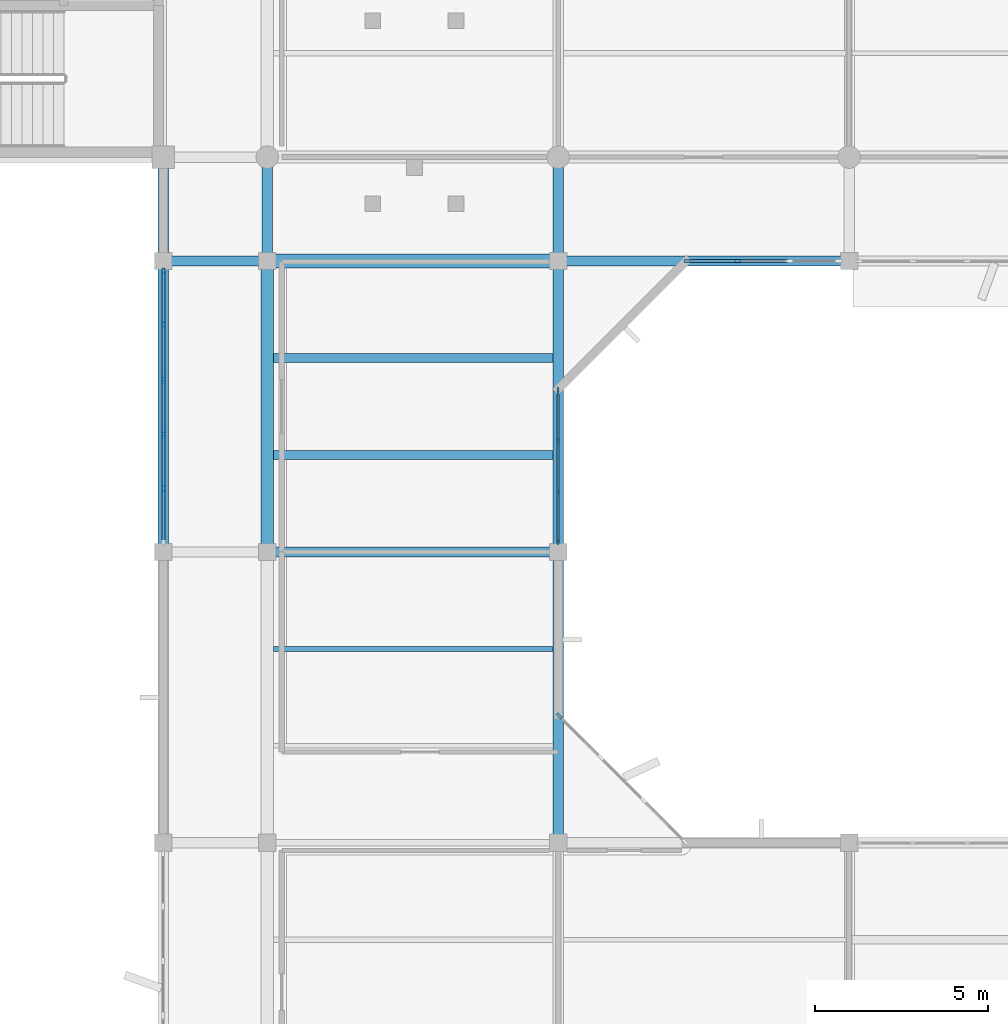
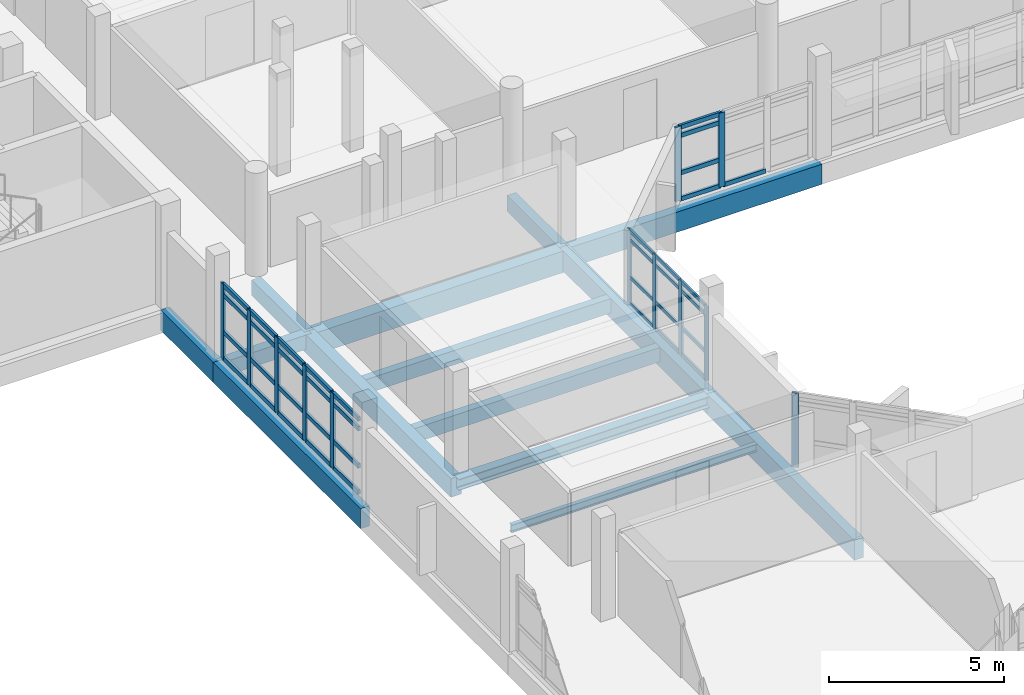
# One storey, part 17 of 104: 49 members, 14 beams, 4 elements without a shape of their own.
"""IFC4 building model written with IfcOpenShell, lengths in metres."""

from ifc_helpers import new_model, si_unit, direction, frame, origin, origin_2d, place, context, subcontext, project, spatial, rectangle, i_section, extrude, material, material_profile, profile_set, type_object, element, aggregate, save


model = new_model("IFC4")

# Units and contexts
model_context = context("Model", 3, precision=1e-05, world=origin(), true_north=direction((0.0, 1.0)))
body_context = subcontext(model_context, "Body", "Model", "MODEL_VIEW")
ifc_project = project(units=[si_unit("LENGTHUNIT", "METRE"), si_unit("AREAUNIT", "SQUARE_METRE"), si_unit("VOLUMEUNIT", "CUBIC_METRE"), si_unit("PLANEANGLEUNIT", "RADIAN"), si_unit("MASSUNIT", "GRAM", prefix="KILO")], contexts=[model_context])

# Site, building, storey
site_placement = place(None, origin())
site = spatial("IfcSite", under=ifc_project, at=site_placement, CompositionType="ELEMENT")
building_placement = place(site_placement, origin())
building = spatial("IfcBuilding", under=site, at=building_placement, Name="Vanh Quang Courtyard School", CompositionType="ELEMENT")
storey_placement = place(building_placement, frame((0.0, 0.0, 4.199951171875)))
storey = spatial("IfcBuildingStorey", under=building, at=storey_placement, Name="L01", CompositionType="ELEMENT", Elevation=4.199951171875)

# Beams
ifc_material_1 = material(Name="Concrete C35/45", Category="concrete")
ifc_material_profile_1 = material_profile(ifc_material_1, rectangle(XDim=0.300048828125, YDim=0.5, at=origin_2d()), Name="RC-BM 300x500")
ifc_profile_set_1 = profile_set([ifc_material_profile_1], Name="Concrete C35/45")
beam_type_1 = type_object("IfcBeamType", Name="BM-RC-300x500", PredefinedType="BEAM", material=ifc_profile_set_1)
beam_1_placement = place(storey_placement, frame((74.39990234375, 29.39990234375, -0.530029296875), z_axis=(1.0, 0.0, 0.0), x_axis=(0.0, 1.0, 0.0)))
element("IfcBeam", 1, at=beam_1_placement, inside=storey, type_object=beam_type_1, Name="Beam B-08 (L01)", PredefinedType="BEAM", context=body_context, shape_type="SweptSolid", body=[
    extrude(rectangle(XDim=0.300048828125, YDim=0.5, at=origin_2d()), origin(), (0.0, 0.0, 1.0), 3.0),
])
ifc_material_profile_2 = material_profile(ifc_material_1, rectangle(XDim=0.300048828125, YDim=0.550048828125, at=origin_2d()), Name="RC-BM 300x550")
ifc_profile_set_2 = profile_set([ifc_material_profile_2], Name="Concrete C35/45")
beam_type_2 = type_object("IfcBeamType", Name="BM-RC-300x550", PredefinedType="BEAM", material=ifc_profile_set_2)
for number, where, z_axis, x_axis, name in (
    (2, (77.39990234375, 29.39990234375, -0.554931640625), (0.0, 1.0, 0.0), (-1.0, 0.0, 0.0), "Beam B-07 (L01)"),
    (3, (85.800048828125, 29.39990234375, -0.554931640625), (0.0, 1.0, 0.0), (-1.0, 0.0, 0.0), "Beam B-07 (L01)"),
):
    element("IfcBeam", number, at=place(storey_placement, frame(where, z_axis=z_axis, x_axis=x_axis)), inside=storey, type_object=beam_type_2, Name=name, PredefinedType="BEAM", context=body_context, shape_type="SweptSolid", body=[
        extrude(rectangle(XDim=0.300048828125, YDim=0.550048828125, at=origin_2d()), origin(), (0.0, 0.0, 1.0), 3.0),
    ])
ifc_material_profile_3 = material_profile(ifc_material_1, rectangle(XDim=0.35009765625, YDim=0.64990234375, at=origin_2d()), Name="RC-BM 350x650")
ifc_profile_set_3 = profile_set([ifc_material_profile_3], Name="Concrete C35/45")
beam_type_3 = type_object("IfcBeamType", Name="BM-RC-350x650", PredefinedType="BEAM", material=ifc_profile_set_3)
beam_2_placement = place(storey_placement, frame((77.39990234375, 21.0, -0.60498046875), z_axis=(0.0, 1.0, 0.0), x_axis=(-1.0, 0.0, 0.0)))
element("IfcBeam", 4, at=beam_2_placement, inside=storey, type_object=beam_type_3, Name="Beam B-05 (L01)", PredefinedType="BEAM", context=body_context, shape_type="SweptSolid", body=[
    extrude(rectangle(XDim=0.35009765625, YDim=0.64990234375, at=origin_2d()), origin(), (0.0, 0.0, 1.0), 8.39990234375),
])
ifc_material_profile_4 = material_profile(ifc_material_1, rectangle(XDim=0.39990234375, YDim=0.75, at=origin_2d()), Name="RC-BM 400x750")
ifc_profile_set_4 = profile_set([ifc_material_profile_4], Name="Concrete C35/45")
beam_type_4 = type_object("IfcBeamType", Name="BM-RC-400x750", PredefinedType="BEAM", material=ifc_profile_set_4)
beam_3_placement = place(storey_placement, frame((77.39990234375, 29.39990234375, -0.655029296875), z_axis=(1.0, 0.0, 0.0), x_axis=(0.0, 1.0, 0.0)))
element("IfcBeam", 5, at=beam_3_placement, inside=storey, type_object=beam_type_4, Name="Beam B-03 (L01)", PredefinedType="BEAM", context=body_context, shape_type="SweptSolid", body=[
    extrude(rectangle(XDim=0.39990234375, YDim=0.75, at=origin_2d()), origin(), (0.0, 0.0, 1.0), 8.400146484375),
])
ifc_material_profile_5 = material_profile(ifc_material_1, rectangle(XDim=0.300048828125, YDim=0.699951171875, at=origin_2d()), Name="RC-SP 300x700")
ifc_profile_set_5 = profile_set([ifc_material_profile_5], Name="Concrete C35/45")
beam_type_5 = type_object("IfcBeamType", Name="BM-SP-300x700", PredefinedType="SPANDREL", material=ifc_profile_set_5)
for number, where, z_axis, x_axis, name in (
    (6, (85.800048828125, 29.39990234375, -0.6298828125), (1.0, 0.0, 0.0), (0.0, 1.0, 0.0), "Beam BS-01 (L01)"),
    (7, (74.39990234375, 21.0, -0.6298828125), (0.0, 1.0, 0.0), (-1.0, 0.0, 0.0), "Beam BS-01 (L01)"),
):
    element("IfcBeam", number, at=place(storey_placement, frame(where, z_axis=z_axis, x_axis=x_axis)), inside=storey, type_object=beam_type_5, Name=name, PredefinedType="SPANDREL", context=body_context, shape_type="SweptSolid", body=[
        extrude(rectangle(XDim=0.300048828125, YDim=0.699951171875, at=origin_2d()), origin(), (0.0, 0.0, 1.0), 8.39990234375),
    ])
beam_4_placement = place(storey_placement, frame((74.39990234375, 29.39990234375, -0.6298828125), z_axis=(0.0, 1.0, 0.0), x_axis=(-1.0, 0.0, 0.0)))
element("IfcBeam", 8, at=beam_4_placement, inside=storey, type_object=beam_type_5, Name="Beam BS-01 (L01)", PredefinedType="SPANDREL", context=body_context, shape_type="SweptSolid", body=[
    extrude(rectangle(XDim=0.300048828125, YDim=0.699951171875, at=origin_2d()), origin(), (0.0, 0.0, 1.0), 3.0),
])
for number, where, z_axis, x_axis, name in (
    (9, (85.800048828125, 12.60009765625, -0.6298828125), (0.0, 1.0, 0.0), (-1.0, 0.0, 0.0), "Beam BS-01 (L01)"),
    (10, (85.800048828125, 21.0, -0.6298828125), (0.0, 1.0, 0.0), (-1.0, 0.0, 0.0), "Beam BS-01 (L01)"),
):
    element("IfcBeam", number, at=place(storey_placement, frame(where, z_axis=z_axis, x_axis=x_axis)), inside=storey, type_object=beam_type_5, Name=name, PredefinedType="SPANDREL", context=body_context, shape_type="SweptSolid", body=[
        extrude(rectangle(XDim=0.300048828125, YDim=0.699951171875, at=origin_2d()), origin(), (0.0, 0.0, 1.0), 8.39990234375),
    ])
ifc_material_2 = material(Name="Structural steel EN 10025-2 S355J2", Category="steel")
ifc_material_profile_6 = material_profile(ifc_material_2, i_section(OverallWidth=0.300048828125, OverallDepth=0.389892578125, WebThickness=0.010986328125, FlangeThickness=0.01904296875, FilletRadius=0.027099609375, at=origin_2d()), Name="HEA 400")
ifc_profile_set_6 = profile_set([ifc_material_profile_6], Name="Structural steel EN 10025-2 S355J2")
beam_type_6 = type_object("IfcBeamType", Name="BM-STL-HEA400", PredefinedType="BEAM", material=ifc_profile_set_6)
beam_5_placement = place(storey_placement, frame((77.39990234375, 21.0, -0.474853515625), z_axis=(1.0, 0.0, 0.0), x_axis=(0.0, 1.0, 0.0)))
element("IfcBeam", 11, at=beam_5_placement, inside=storey, type_object=beam_type_6, Name="Beam SB-08 (L01)", PredefinedType="BEAM", context=body_context, shape_type="SweptSolid", body=[
    extrude(i_section(OverallWidth=0.300048828125, OverallDepth=0.389892578125, WebThickness=0.010986328125, FlangeThickness=0.01904296875, FilletRadius=0.027099609375, at=origin_2d()), origin(), (0.0, 0.0, 1.0), 8.400146484375),
])

# Curtain wall, members
ifc_material_3 = material(Name="Thermally broken aluminium unitised curtain wall", Category="aluminium")
curtain_wall_type_1 = type_object("IfcCurtainWallType", Name="CW-SYS-38", PredefinedType="NOTDEFINED", material=ifc_material_3)
curtain_wall_1_placement = place(storey_placement, origin())
curtain_wall_1 = element("IfcCurtainWall", 12, at=curtain_wall_1_placement, inside=storey, type_object=curtain_wall_type_1, Name="Curtain Wall CW-38 (L01)", PredefinedType="NOTDEFINED")
ifc_material_4 = material(Name="Anodised aluminium 6063-T6", Category="aluminium")
ifc_material_profile_7 = material_profile(ifc_material_4, rectangle(XDim=0.06005859375, YDim=0.159912109375, at=origin_2d()), Name="ALU-MUL 60x160")
ifc_profile_set_7 = profile_set([ifc_material_profile_7], Name="Anodised aluminium 6063-T6")
member_type_1 = type_object("IfcMemberType", Name="CW-MUL-60x160", PredefinedType="MULLION", material=ifc_profile_set_7)
member_1_placement = place(storey_placement, frame((85.800048828125, 25.674072265625, 0.0), z_axis=(0.0, 0.0, 1.0), x_axis=(1.0, 0.0, 0.0)))
member_1 = element("IfcMember", 13, at=member_1_placement, type_object=member_type_1, Name="CW-38 mullion 1", PredefinedType="MULLION", context=body_context, shape_type="SweptSolid", body=[
    extrude(rectangle(XDim=0.06005859375, YDim=0.159912109375, at=origin_2d()), origin(), (0.0, 0.0, 1.0), 2.580078125),
])
member_2_placement = place(storey_placement, frame((85.800048828125, 24.221923828125, 0.0), z_axis=(0.0, 0.0, 1.0), x_axis=(1.0, 0.0, 0.0)))
member_2 = element("IfcMember", 14, at=member_2_placement, type_object=member_type_1, Name="CW-38 mullion 2", PredefinedType="MULLION", context=body_context, shape_type="SweptSolid", body=[
    extrude(rectangle(XDim=0.06005859375, YDim=0.159912109375, at=origin_2d()), origin(), (0.0, 0.0, 1.0), 2.580078125),
])
member_3_placement = place(storey_placement, frame((85.800048828125, 22.739990234375, 0.0), z_axis=(0.0, 0.0, 1.0), x_axis=(1.0, 0.0, 0.0)))
member_3 = element("IfcMember", 15, at=member_3_placement, type_object=member_type_1, Name="CW-38 mullion 3", PredefinedType="MULLION", context=body_context, shape_type="SweptSolid", body=[
    extrude(rectangle(XDim=0.06005859375, YDim=0.159912109375, at=origin_2d()), origin(), (0.0, 0.0, 1.0), 2.580078125),
])
member_4_placement = place(storey_placement, frame((85.800048828125, 21.2880859375, 0.0), z_axis=(0.0, 0.0, 1.0), x_axis=(1.0, 0.0, 0.0)))
member_4 = element("IfcMember", 16, at=member_4_placement, type_object=member_type_1, Name="CW-38 mullion 4", PredefinedType="MULLION", context=body_context, shape_type="SweptSolid", body=[
    extrude(rectangle(XDim=0.06005859375, YDim=0.159912109375, at=origin_2d()), origin(), (0.0, 0.0, 1.0), 2.580078125),
])

curtain_wall_type_2 = type_object("IfcCurtainWallType", Name="CW-SYS-19", PredefinedType="NOTDEFINED", material=ifc_material_3)
curtain_wall_2_placement = place(storey_placement, origin())
curtain_wall_2 = element("IfcCurtainWall", 17, at=curtain_wall_2_placement, inside=storey, type_object=curtain_wall_type_2, Name="Curtain Wall CW-19 (L01)", PredefinedType="NOTDEFINED")
ifc_material_profile_8 = material_profile(ifc_material_4, rectangle(XDim=0.080078125, YDim=0.199951171875, at=origin_2d()), Name="ALU-MUL 80x200")
ifc_profile_set_8 = profile_set([ifc_material_profile_8], Name="Anodised aluminium 6063-T6")
member_type_2 = type_object("IfcMemberType", Name="CW-MUL-80x200", PredefinedType="MULLION", material=ifc_profile_set_8)
member_5_placement = place(storey_placement, frame((74.39990234375, 22.834716796875, 0.0), z_axis=(0.0, 0.0, 1.0), x_axis=(-1.0, 0.0, 0.0)))
member_5 = element("IfcMember", 18, at=member_5_placement, type_object=member_type_2, Name="CW-19 mullion 2", PredefinedType="MULLION", context=body_context, shape_type="SweptSolid", body=[
    extrude(rectangle(XDim=0.080078125, YDim=0.199951171875, at=origin_2d()), origin(), (0.0, 0.0, 1.0), 2.6201171875),
])
member_6_placement = place(storey_placement, frame((74.39990234375, 24.41162109375, 0.0), z_axis=(0.0, 0.0, 1.0), x_axis=(-1.0, 0.0, 0.0)))
member_6 = element("IfcMember", 19, at=member_6_placement, type_object=member_type_2, Name="CW-19 mullion 3", PredefinedType="MULLION", context=body_context, shape_type="SweptSolid", body=[
    extrude(rectangle(XDim=0.080078125, YDim=0.199951171875, at=origin_2d()), origin(), (0.0, 0.0, 1.0), 2.6201171875),
])
member_7_placement = place(storey_placement, frame((74.39990234375, 25.98828125, 0.0), z_axis=(0.0, 0.0, 1.0), x_axis=(-1.0, 0.0, 0.0)))
member_7 = element("IfcMember", 20, at=member_7_placement, type_object=member_type_2, Name="CW-19 mullion 4", PredefinedType="MULLION", context=body_context, shape_type="SweptSolid", body=[
    extrude(rectangle(XDim=0.080078125, YDim=0.199951171875, at=origin_2d()), origin(), (0.0, 0.0, 1.0), 2.6201171875),
])
member_8_placement = place(storey_placement, frame((74.39990234375, 27.565185546875, 0.0), z_axis=(0.0, 0.0, 1.0), x_axis=(-1.0, 0.0, 0.0)))
member_8 = element("IfcMember", 21, at=member_8_placement, type_object=member_type_2, Name="CW-19 mullion 5", PredefinedType="MULLION", context=body_context, shape_type="SweptSolid", body=[
    extrude(rectangle(XDim=0.080078125, YDim=0.199951171875, at=origin_2d()), origin(), (0.0, 0.0, 1.0), 2.6201171875),
])
member_9_placement = place(storey_placement, frame((74.39990234375, 29.10205078125, 0.0), z_axis=(0.0, 0.0, 1.0), x_axis=(-1.0, 0.0, 0.0)))
member_9 = element("IfcMember", 22, at=member_9_placement, type_object=member_type_2, Name="CW-19 mullion 6", PredefinedType="MULLION", context=body_context, shape_type="SweptSolid", body=[
    extrude(rectangle(XDim=0.080078125, YDim=0.199951171875, at=origin_2d()), origin(), (0.0, 0.0, 1.0), 2.6201171875),
])

# Curtain wall, member
curtain_wall_type_3 = type_object("IfcCurtainWallType", Name="CW-SYS-37", PredefinedType="NOTDEFINED", material=ifc_material_3)
curtain_wall_3_placement = place(storey_placement, origin())
curtain_wall_3 = element("IfcCurtainWall", 23, at=curtain_wall_3_placement, inside=storey, type_object=curtain_wall_type_3, Name="Curtain Wall CW-37 (L01)", PredefinedType="NOTDEFINED")
member_10_placement = place(storey_placement, frame((85.828369140625, 16.267822265625, 0.0), z_axis=(0.0, 0.0, 1.0), x_axis=(0.707106781187, 0.707106781187, 0.0)))
member_10 = element("IfcMember", 24, at=member_10_placement, type_object=member_type_2, Name="CW-37 mullion 1", PredefinedType="MULLION", context=body_context, shape_type="SweptSolid", body=[
    extrude(rectangle(XDim=0.080078125, YDim=0.199951171875, at=origin_2d()), origin(), (0.0, 0.0, 1.0), 2.580078125),
])
aggregate(curtain_wall_3, [member_10])

# Curtain wall, members
curtain_wall_4_placement = place(storey_placement, origin())
curtain_wall_4 = element("IfcCurtainWall", 25, at=curtain_wall_4_placement, inside=storey, type_object=curtain_wall_type_1, Name="Curtain Wall CW-38 (L01)", PredefinedType="NOTDEFINED")
member_11_placement = place(storey_placement, frame((90.97802734375, 29.39990234375, 0.0), z_axis=(0.0, 0.0, 1.0), x_axis=(0.0, -1.0, 0.0)))
member_11 = element("IfcMember", 26, at=member_11_placement, type_object=member_type_2, Name="CW-38 mullion 3", PredefinedType="MULLION", context=body_context, shape_type="SweptSolid", body=[
    extrude(rectangle(XDim=0.080078125, YDim=0.199951171875, at=origin_2d()), origin(), (0.0, 0.0, 1.0), 2.580078125),
])
member_12_placement = place(storey_placement, frame((89.535888671875, 29.39990234375, 0.0), z_axis=(0.0, 0.0, 1.0), x_axis=(0.0, -1.0, 0.0)))
member_12 = element("IfcMember", 27, at=member_12_placement, type_object=member_type_2, Name="CW-38 mullion 4", PredefinedType="MULLION", context=body_context, shape_type="SweptSolid", body=[
    extrude(rectangle(XDim=0.080078125, YDim=0.199951171875, at=origin_2d()), origin(), (0.0, 0.0, 1.0), 2.580078125),
])

# Member
ifc_material_profile_9 = material_profile(ifc_material_4, rectangle(XDim=0.06005859375, YDim=0.1201171875, at=origin_2d()), Name="ALU-TRN 60x120")
ifc_profile_set_9 = profile_set([ifc_material_profile_9], Name="Anodised aluminium 6063-T6")
member_type_3 = type_object("IfcMemberType", Name="CW-TRN-60x120", PredefinedType="USERDEFINED", material=ifc_profile_set_9)
member_13_placement = place(storey_placement, frame((85.800048828125, 25.64404296875, 0.030029296875), z_axis=(0.0, -1.0, 0.0), x_axis=(1.0, 0.0, 0.0)))
member_13 = element("IfcMember", 28, at=member_13_placement, type_object=member_type_3, Name="CW-38 transom 1.1", ObjectType="TRANSOM", PredefinedType="USERDEFINED", context=body_context, shape_type="SweptSolid", body=[
    extrude(rectangle(XDim=0.06005859375, YDim=0.1201171875, at=origin_2d()), origin(), (0.0, 0.0, 1.0), 1.39208984375),
])

member_14_placement = place(storey_placement, frame((85.800048828125, 25.64404296875, 0.949951171875), z_axis=(0.0, -1.0, 0.0), x_axis=(1.0, 0.0, 0.0)))
member_14 = element("IfcMember", 29, at=member_14_placement, type_object=member_type_3, Name="CW-38 transom 1.2", ObjectType="TRANSOM", PredefinedType="USERDEFINED", context=body_context, shape_type="SweptSolid", body=[
    extrude(rectangle(XDim=0.06005859375, YDim=0.1201171875, at=origin_2d()), origin(), (0.0, 0.0, 1.0), 1.39208984375),
])

member_15_placement = place(storey_placement, frame((85.800048828125, 25.64404296875, 2.25), z_axis=(0.0, -1.0, 0.0), x_axis=(1.0, 0.0, 0.0)))
member_15 = element("IfcMember", 30, at=member_15_placement, type_object=member_type_3, Name="CW-38 transom 1.3", ObjectType="TRANSOM", PredefinedType="USERDEFINED", context=body_context, shape_type="SweptSolid", body=[
    extrude(rectangle(XDim=0.06005859375, YDim=0.1201171875, at=origin_2d()), origin(), (0.0, 0.0, 1.0), 1.39208984375),
])

member_16_placement = place(storey_placement, frame((85.800048828125, 25.64404296875, 2.550048828125), z_axis=(0.0, -1.0, 0.0), x_axis=(1.0, 0.0, 0.0)))
member_16 = element("IfcMember", 31, at=member_16_placement, type_object=member_type_3, Name="CW-38 transom 1.4", ObjectType="TRANSOM", PredefinedType="USERDEFINED", context=body_context, shape_type="SweptSolid", body=[
    extrude(rectangle(XDim=0.06005859375, YDim=0.1201171875, at=origin_2d()), origin(), (0.0, 0.0, 1.0), 1.39208984375),
])

member_17_placement = place(storey_placement, frame((85.800048828125, 24.19189453125, 0.030029296875), z_axis=(0.0, -1.0, 0.0), x_axis=(1.0, 0.0, 0.0)))
member_17 = element("IfcMember", 32, at=member_17_placement, type_object=member_type_3, Name="CW-38 transom 2.1", ObjectType="TRANSOM", PredefinedType="USERDEFINED", context=body_context, shape_type="SweptSolid", body=[
    extrude(rectangle(XDim=0.06005859375, YDim=0.1201171875, at=origin_2d()), origin(), (0.0, 0.0, 1.0), 1.421875),
])

member_18_placement = place(storey_placement, frame((85.800048828125, 24.19189453125, 0.949951171875), z_axis=(0.0, -1.0, 0.0), x_axis=(1.0, 0.0, 0.0)))
member_18 = element("IfcMember", 33, at=member_18_placement, type_object=member_type_3, Name="CW-38 transom 2.2", ObjectType="TRANSOM", PredefinedType="USERDEFINED", context=body_context, shape_type="SweptSolid", body=[
    extrude(rectangle(XDim=0.06005859375, YDim=0.1201171875, at=origin_2d()), origin(), (0.0, 0.0, 1.0), 1.421875),
])

member_19_placement = place(storey_placement, frame((85.800048828125, 24.19189453125, 2.25), z_axis=(0.0, -1.0, 0.0), x_axis=(1.0, 0.0, 0.0)))
member_19 = element("IfcMember", 34, at=member_19_placement, type_object=member_type_3, Name="CW-38 transom 2.3", ObjectType="TRANSOM", PredefinedType="USERDEFINED", context=body_context, shape_type="SweptSolid", body=[
    extrude(rectangle(XDim=0.06005859375, YDim=0.1201171875, at=origin_2d()), origin(), (0.0, 0.0, 1.0), 1.421875),
])

member_20_placement = place(storey_placement, frame((85.800048828125, 24.19189453125, 2.550048828125), z_axis=(0.0, -1.0, 0.0), x_axis=(1.0, 0.0, 0.0)))
member_20 = element("IfcMember", 35, at=member_20_placement, type_object=member_type_3, Name="CW-38 transom 2.4", ObjectType="TRANSOM", PredefinedType="USERDEFINED", context=body_context, shape_type="SweptSolid", body=[
    extrude(rectangle(XDim=0.06005859375, YDim=0.1201171875, at=origin_2d()), origin(), (0.0, 0.0, 1.0), 1.421875),
])

member_21_placement = place(storey_placement, frame((85.800048828125, 22.7099609375, 0.030029296875), z_axis=(0.0, -1.0, 0.0), x_axis=(1.0, 0.0, 0.0)))
member_21 = element("IfcMember", 36, at=member_21_placement, type_object=member_type_3, Name="CW-38 transom 3.1", ObjectType="TRANSOM", PredefinedType="USERDEFINED", context=body_context, shape_type="SweptSolid", body=[
    extrude(rectangle(XDim=0.06005859375, YDim=0.1201171875, at=origin_2d()), origin(), (0.0, 0.0, 1.0), 1.391845703125),
])

member_22_placement = place(storey_placement, frame((85.800048828125, 22.7099609375, 0.949951171875), z_axis=(0.0, -1.0, 0.0), x_axis=(1.0, 0.0, 0.0)))
member_22 = element("IfcMember", 37, at=member_22_placement, type_object=member_type_3, Name="CW-38 transom 3.2", ObjectType="TRANSOM", PredefinedType="USERDEFINED", context=body_context, shape_type="SweptSolid", body=[
    extrude(rectangle(XDim=0.06005859375, YDim=0.1201171875, at=origin_2d()), origin(), (0.0, 0.0, 1.0), 1.391845703125),
])

member_23_placement = place(storey_placement, frame((85.800048828125, 22.7099609375, 2.25), z_axis=(0.0, -1.0, 0.0), x_axis=(1.0, 0.0, 0.0)))
member_23 = element("IfcMember", 38, at=member_23_placement, type_object=member_type_3, Name="CW-38 transom 3.3", ObjectType="TRANSOM", PredefinedType="USERDEFINED", context=body_context, shape_type="SweptSolid", body=[
    extrude(rectangle(XDim=0.06005859375, YDim=0.1201171875, at=origin_2d()), origin(), (0.0, 0.0, 1.0), 1.391845703125),
])

member_24_placement = place(storey_placement, frame((85.800048828125, 22.7099609375, 2.550048828125), z_axis=(0.0, -1.0, 0.0), x_axis=(1.0, 0.0, 0.0)))
member_24 = element("IfcMember", 39, at=member_24_placement, type_object=member_type_3, Name="CW-38 transom 3.4", ObjectType="TRANSOM", PredefinedType="USERDEFINED", context=body_context, shape_type="SweptSolid", body=[
    extrude(rectangle(XDim=0.06005859375, YDim=0.1201171875, at=origin_2d()), origin(), (0.0, 0.0, 1.0), 1.391845703125),
])

aggregate(curtain_wall_1, [member_1, member_2, member_3, member_4, member_13, member_14, member_15, member_16, member_17, member_18, member_19, member_20, member_21, member_22, member_23, member_24])

ifc_material_profile_10 = material_profile(ifc_material_4, rectangle(XDim=0.080078125, YDim=0.14990234375, at=origin_2d()), Name="ALU-TRN 80x150")
ifc_profile_set_10 = profile_set([ifc_material_profile_10], Name="Anodised aluminium 6063-T6")
member_type_4 = type_object("IfcMemberType", Name="CW-TRN-80x150", PredefinedType="USERDEFINED", material=ifc_profile_set_10)
member_25_placement = place(storey_placement, frame((74.39990234375, 21.337890625, 0.0400390625), z_axis=(0.0, 1.0, 0.0), x_axis=(-1.0, 0.0, 0.0)))
member_25 = element("IfcMember", 40, at=member_25_placement, type_object=member_type_4, Name="CW-19 transom 1.1", ObjectType="TRANSOM", PredefinedType="USERDEFINED", context=body_context, shape_type="SweptSolid", body=[
    extrude(rectangle(XDim=0.080078125, YDim=0.14990234375, at=origin_2d()), origin(), (0.0, 0.0, 1.0), 1.45703125),
])

member_26_placement = place(storey_placement, frame((74.39990234375, 21.337890625, 0.949951171875), z_axis=(0.0, 1.0, 0.0), x_axis=(-1.0, 0.0, 0.0)))
member_26 = element("IfcMember", 41, at=member_26_placement, type_object=member_type_4, Name="CW-19 transom 1.2", ObjectType="TRANSOM", PredefinedType="USERDEFINED", context=body_context, shape_type="SweptSolid", body=[
    extrude(rectangle(XDim=0.080078125, YDim=0.14990234375, at=origin_2d()), origin(), (0.0, 0.0, 1.0), 1.45703125),
])

member_27_placement = place(storey_placement, frame((74.39990234375, 21.337890625, 2.25), z_axis=(0.0, 1.0, 0.0), x_axis=(-1.0, 0.0, 0.0)))
member_27 = element("IfcMember", 42, at=member_27_placement, type_object=member_type_4, Name="CW-19 transom 1.3", ObjectType="TRANSOM", PredefinedType="USERDEFINED", context=body_context, shape_type="SweptSolid", body=[
    extrude(rectangle(XDim=0.080078125, YDim=0.14990234375, at=origin_2d()), origin(), (0.0, 0.0, 1.0), 1.45703125),
])

member_28_placement = place(storey_placement, frame((74.39990234375, 21.337890625, 2.580078125), z_axis=(0.0, 1.0, 0.0), x_axis=(-1.0, 0.0, 0.0)))
member_28 = element("IfcMember", 43, at=member_28_placement, type_object=member_type_4, Name="CW-19 transom 1.4", ObjectType="TRANSOM", PredefinedType="USERDEFINED", context=body_context, shape_type="SweptSolid", body=[
    extrude(rectangle(XDim=0.080078125, YDim=0.14990234375, at=origin_2d()), origin(), (0.0, 0.0, 1.0), 1.45703125),
])

member_29_placement = place(storey_placement, frame((74.39990234375, 22.874755859375, 0.0400390625), z_axis=(0.0, 1.0, 0.0), x_axis=(-1.0, 0.0, 0.0)))
member_29 = element("IfcMember", 44, at=member_29_placement, type_object=member_type_4, Name="CW-19 transom 2.1", ObjectType="TRANSOM", PredefinedType="USERDEFINED", context=body_context, shape_type="SweptSolid", body=[
    extrude(rectangle(XDim=0.080078125, YDim=0.14990234375, at=origin_2d()), origin(), (0.0, 0.0, 1.0), 1.496826171875),
])

member_30_placement = place(storey_placement, frame((74.39990234375, 22.874755859375, 0.949951171875), z_axis=(0.0, 1.0, 0.0), x_axis=(-1.0, 0.0, 0.0)))
member_30 = element("IfcMember", 45, at=member_30_placement, type_object=member_type_4, Name="CW-19 transom 2.2", ObjectType="TRANSOM", PredefinedType="USERDEFINED", context=body_context, shape_type="SweptSolid", body=[
    extrude(rectangle(XDim=0.080078125, YDim=0.14990234375, at=origin_2d()), origin(), (0.0, 0.0, 1.0), 1.496826171875),
])

member_31_placement = place(storey_placement, frame((74.39990234375, 22.874755859375, 2.25), z_axis=(0.0, 1.0, 0.0), x_axis=(-1.0, 0.0, 0.0)))
member_31 = element("IfcMember", 46, at=member_31_placement, type_object=member_type_4, Name="CW-19 transom 2.3", ObjectType="TRANSOM", PredefinedType="USERDEFINED", context=body_context, shape_type="SweptSolid", body=[
    extrude(rectangle(XDim=0.080078125, YDim=0.14990234375, at=origin_2d()), origin(), (0.0, 0.0, 1.0), 1.496826171875),
])

member_32_placement = place(storey_placement, frame((74.39990234375, 22.874755859375, 2.580078125), z_axis=(0.0, 1.0, 0.0), x_axis=(-1.0, 0.0, 0.0)))
member_32 = element("IfcMember", 47, at=member_32_placement, type_object=member_type_4, Name="CW-19 transom 2.4", ObjectType="TRANSOM", PredefinedType="USERDEFINED", context=body_context, shape_type="SweptSolid", body=[
    extrude(rectangle(XDim=0.080078125, YDim=0.14990234375, at=origin_2d()), origin(), (0.0, 0.0, 1.0), 1.496826171875),
])

member_33_placement = place(storey_placement, frame((74.39990234375, 24.45166015625, 0.0400390625), z_axis=(0.0, 1.0, 0.0), x_axis=(-1.0, 0.0, 0.0)))
member_33 = element("IfcMember", 48, at=member_33_placement, type_object=member_type_4, Name="CW-19 transom 3.1", ObjectType="TRANSOM", PredefinedType="USERDEFINED", context=body_context, shape_type="SweptSolid", body=[
    extrude(rectangle(XDim=0.080078125, YDim=0.14990234375, at=origin_2d()), origin(), (0.0, 0.0, 1.0), 1.496826171875),
])

member_34_placement = place(storey_placement, frame((74.39990234375, 24.45166015625, 0.949951171875), z_axis=(0.0, 1.0, 0.0), x_axis=(-1.0, 0.0, 0.0)))
member_34 = element("IfcMember", 49, at=member_34_placement, type_object=member_type_4, Name="CW-19 transom 3.2", ObjectType="TRANSOM", PredefinedType="USERDEFINED", context=body_context, shape_type="SweptSolid", body=[
    extrude(rectangle(XDim=0.080078125, YDim=0.14990234375, at=origin_2d()), origin(), (0.0, 0.0, 1.0), 1.496826171875),
])

member_35_placement = place(storey_placement, frame((74.39990234375, 24.45166015625, 2.25), z_axis=(0.0, 1.0, 0.0), x_axis=(-1.0, 0.0, 0.0)))
member_35 = element("IfcMember", 50, at=member_35_placement, type_object=member_type_4, Name="CW-19 transom 3.3", ObjectType="TRANSOM", PredefinedType="USERDEFINED", context=body_context, shape_type="SweptSolid", body=[
    extrude(rectangle(XDim=0.080078125, YDim=0.14990234375, at=origin_2d()), origin(), (0.0, 0.0, 1.0), 1.496826171875),
])

member_36_placement = place(storey_placement, frame((74.39990234375, 24.45166015625, 2.580078125), z_axis=(0.0, 1.0, 0.0), x_axis=(-1.0, 0.0, 0.0)))
member_36 = element("IfcMember", 51, at=member_36_placement, type_object=member_type_4, Name="CW-19 transom 3.4", ObjectType="TRANSOM", PredefinedType="USERDEFINED", context=body_context, shape_type="SweptSolid", body=[
    extrude(rectangle(XDim=0.080078125, YDim=0.14990234375, at=origin_2d()), origin(), (0.0, 0.0, 1.0), 1.496826171875),
])

member_37_placement = place(storey_placement, frame((74.39990234375, 26.0283203125, 0.0400390625), z_axis=(0.0, 1.0, 0.0), x_axis=(-1.0, 0.0, 0.0)))
member_37 = element("IfcMember", 52, at=member_37_placement, type_object=member_type_4, Name="CW-19 transom 4.1", ObjectType="TRANSOM", PredefinedType="USERDEFINED", context=body_context, shape_type="SweptSolid", body=[
    extrude(rectangle(XDim=0.080078125, YDim=0.14990234375, at=origin_2d()), origin(), (0.0, 0.0, 1.0), 1.496826171875),
])

member_38_placement = place(storey_placement, frame((74.39990234375, 26.0283203125, 0.949951171875), z_axis=(0.0, 1.0, 0.0), x_axis=(-1.0, 0.0, 0.0)))
member_38 = element("IfcMember", 53, at=member_38_placement, type_object=member_type_4, Name="CW-19 transom 4.2", ObjectType="TRANSOM", PredefinedType="USERDEFINED", context=body_context, shape_type="SweptSolid", body=[
    extrude(rectangle(XDim=0.080078125, YDim=0.14990234375, at=origin_2d()), origin(), (0.0, 0.0, 1.0), 1.496826171875),
])

member_39_placement = place(storey_placement, frame((74.39990234375, 26.0283203125, 2.25), z_axis=(0.0, 1.0, 0.0), x_axis=(-1.0, 0.0, 0.0)))
member_39 = element("IfcMember", 54, at=member_39_placement, type_object=member_type_4, Name="CW-19 transom 4.3", ObjectType="TRANSOM", PredefinedType="USERDEFINED", context=body_context, shape_type="SweptSolid", body=[
    extrude(rectangle(XDim=0.080078125, YDim=0.14990234375, at=origin_2d()), origin(), (0.0, 0.0, 1.0), 1.496826171875),
])

member_40_placement = place(storey_placement, frame((74.39990234375, 26.0283203125, 2.580078125), z_axis=(0.0, 1.0, 0.0), x_axis=(-1.0, 0.0, 0.0)))
member_40 = element("IfcMember", 55, at=member_40_placement, type_object=member_type_4, Name="CW-19 transom 4.4", ObjectType="TRANSOM", PredefinedType="USERDEFINED", context=body_context, shape_type="SweptSolid", body=[
    extrude(rectangle(XDim=0.080078125, YDim=0.14990234375, at=origin_2d()), origin(), (0.0, 0.0, 1.0), 1.496826171875),
])

member_41_placement = place(storey_placement, frame((74.39990234375, 27.605224609375, 0.0400390625), z_axis=(0.0, 1.0, 0.0), x_axis=(-1.0, 0.0, 0.0)))
member_41 = element("IfcMember", 56, at=member_41_placement, type_object=member_type_4, Name="CW-19 transom 5.1", ObjectType="TRANSOM", PredefinedType="USERDEFINED", context=body_context, shape_type="SweptSolid", body=[
    extrude(rectangle(XDim=0.080078125, YDim=0.14990234375, at=origin_2d()), origin(), (0.0, 0.0, 1.0), 1.456787109375),
])

member_42_placement = place(storey_placement, frame((74.39990234375, 27.605224609375, 0.949951171875), z_axis=(0.0, 1.0, 0.0), x_axis=(-1.0, 0.0, 0.0)))
member_42 = element("IfcMember", 57, at=member_42_placement, type_object=member_type_4, Name="CW-19 transom 5.2", ObjectType="TRANSOM", PredefinedType="USERDEFINED", context=body_context, shape_type="SweptSolid", body=[
    extrude(rectangle(XDim=0.080078125, YDim=0.14990234375, at=origin_2d()), origin(), (0.0, 0.0, 1.0), 1.456787109375),
])

member_43_placement = place(storey_placement, frame((74.39990234375, 27.605224609375, 2.25), z_axis=(0.0, 1.0, 0.0), x_axis=(-1.0, 0.0, 0.0)))
member_43 = element("IfcMember", 58, at=member_43_placement, type_object=member_type_4, Name="CW-19 transom 5.3", ObjectType="TRANSOM", PredefinedType="USERDEFINED", context=body_context, shape_type="SweptSolid", body=[
    extrude(rectangle(XDim=0.080078125, YDim=0.14990234375, at=origin_2d()), origin(), (0.0, 0.0, 1.0), 1.456787109375),
])

member_44_placement = place(storey_placement, frame((74.39990234375, 27.605224609375, 2.580078125), z_axis=(0.0, 1.0, 0.0), x_axis=(-1.0, 0.0, 0.0)))
member_44 = element("IfcMember", 59, at=member_44_placement, type_object=member_type_4, Name="CW-19 transom 5.4", ObjectType="TRANSOM", PredefinedType="USERDEFINED", context=body_context, shape_type="SweptSolid", body=[
    extrude(rectangle(XDim=0.080078125, YDim=0.14990234375, at=origin_2d()), origin(), (0.0, 0.0, 1.0), 1.456787109375),
])

aggregate(curtain_wall_2, [member_5, member_6, member_7, member_8, member_9, member_25, member_26, member_27, member_28, member_29, member_30, member_31, member_32, member_33, member_34, member_35, member_36, member_37, member_38, member_39, member_40, member_41, member_42, member_43, member_44])

member_45_placement = place(storey_placement, frame((92.419921875, 29.39990234375, 0.0400390625), z_axis=(-1.0, 0.0, 0.0), x_axis=(0.0, -1.0, 0.0)))
member_45 = element("IfcMember", 60, at=member_45_placement, type_object=member_type_4, Name="CW-38 transom 2.1", ObjectType="TRANSOM", PredefinedType="USERDEFINED", context=body_context, shape_type="SweptSolid", body=[
    extrude(rectangle(XDim=0.080078125, YDim=0.14990234375, at=origin_2d()), origin(), (0.0, 0.0, 1.0), 1.40185546875),
])

member_46_placement = place(storey_placement, frame((90.93798828125, 29.39990234375, 0.0400390625), z_axis=(-1.0, 0.0, 0.0), x_axis=(0.0, -1.0, 0.0)))
member_46 = element("IfcMember", 61, at=member_46_placement, type_object=member_type_4, Name="CW-38 transom 3.1", ObjectType="TRANSOM", PredefinedType="USERDEFINED", context=body_context, shape_type="SweptSolid", body=[
    extrude(rectangle(XDim=0.080078125, YDim=0.14990234375, at=origin_2d()), origin(), (0.0, 0.0, 1.0), 1.362060546875),
])

member_47_placement = place(storey_placement, frame((90.93798828125, 29.39990234375, 0.949951171875), z_axis=(-1.0, 0.0, 0.0), x_axis=(0.0, -1.0, 0.0)))
member_47 = element("IfcMember", 62, at=member_47_placement, type_object=member_type_4, Name="CW-38 transom 3.2", ObjectType="TRANSOM", PredefinedType="USERDEFINED", context=body_context, shape_type="SweptSolid", body=[
    extrude(rectangle(XDim=0.080078125, YDim=0.14990234375, at=origin_2d()), origin(), (0.0, 0.0, 1.0), 1.362060546875),
])

member_48_placement = place(storey_placement, frame((90.93798828125, 29.39990234375, 2.25), z_axis=(-1.0, 0.0, 0.0), x_axis=(0.0, -1.0, 0.0)))
member_48 = element("IfcMember", 63, at=member_48_placement, type_object=member_type_4, Name="CW-38 transom 3.3", ObjectType="TRANSOM", PredefinedType="USERDEFINED", context=body_context, shape_type="SweptSolid", body=[
    extrude(rectangle(XDim=0.080078125, YDim=0.14990234375, at=origin_2d()), origin(), (0.0, 0.0, 1.0), 1.362060546875),
])

member_49_placement = place(storey_placement, frame((90.93798828125, 29.39990234375, 2.5400390625), z_axis=(-1.0, 0.0, 0.0), x_axis=(0.0, -1.0, 0.0)))
member_49 = element("IfcMember", 64, at=member_49_placement, type_object=member_type_4, Name="CW-38 transom 3.4", ObjectType="TRANSOM", PredefinedType="USERDEFINED", context=body_context, shape_type="SweptSolid", body=[
    extrude(rectangle(XDim=0.080078125, YDim=0.14990234375, at=origin_2d()), origin(), (0.0, 0.0, 1.0), 1.362060546875),
])

aggregate(curtain_wall_4, [member_11, member_12, member_45, member_46, member_47, member_48, member_49])

# Beams
ifc_material_5 = material(Name="Concrete C30/37", Category="concrete")
ifc_material_profile_11 = material_profile(ifc_material_5, rectangle(XDim=0.25, YDim=0.5, at=origin_2d()), Name="RC-JST 250x500")
ifc_profile_set_11 = profile_set([ifc_material_profile_11], Name="Concrete C30/37")
beam_type_7 = type_object("IfcBeamType", Name="JST-RC-250x500", PredefinedType="JOIST", material=ifc_profile_set_11)
for number, where, z_axis, x_axis, name in (
    (65, (77.574951171875, 23.800048828125, -0.530029296875), (1.0, 0.0, 0.0), (0.0, 1.0, 0.0), "Beam BJ-01 (L01)"),
    (66, (77.574951171875, 26.60009765625, -0.530029296875), (1.0, 0.0, 0.0), (0.0, 1.0, 0.0), "Beam BJ-01 (L01)"),
):
    element("IfcBeam", number, at=place(storey_placement, frame(where, z_axis=z_axis, x_axis=x_axis)), inside=storey, type_object=beam_type_7, Name=name, PredefinedType="JOIST", context=body_context, shape_type="SweptSolid", body=[
        extrude(rectangle(XDim=0.25, YDim=0.5, at=origin_2d()), origin(), (0.0, 0.0, 1.0), 8.074951171875),
    ])
ifc_material_profile_12 = material_profile(ifc_material_2, i_section(OverallWidth=0.135009765625, OverallDepth=0.27001953125, WebThickness=0.006591796875, FlangeThickness=0.01025390625, FilletRadius=0.014892578125, at=origin_2d()), Name="IPE 270")
ifc_profile_set_12 = profile_set([ifc_material_profile_12], Name="Structural steel EN 10025-2 S355J2")
beam_type_8 = type_object("IfcBeamType", Name="JST-STL-IPE270", PredefinedType="JOIST", material=ifc_profile_set_12)
beam_6_placement = place(storey_placement, frame((77.574951171875, 18.199951171875, -0.4150390625), z_axis=(1.0, 0.0, 0.0), x_axis=(0.0, 1.0, 0.0)))
element("IfcBeam", 67, at=beam_6_placement, inside=storey, type_object=beam_type_8, Name="Beam SJ-03 (L01)", PredefinedType="JOIST", context=body_context, shape_type="SweptSolid", body=[
    extrude(i_section(OverallWidth=0.135009765625, OverallDepth=0.27001953125, WebThickness=0.006591796875, FlangeThickness=0.01025390625, FilletRadius=0.014892578125, at=origin_2d()), origin(), (0.0, 0.0, 1.0), 8.074951171875),
])

save(model, "model.ifc")
